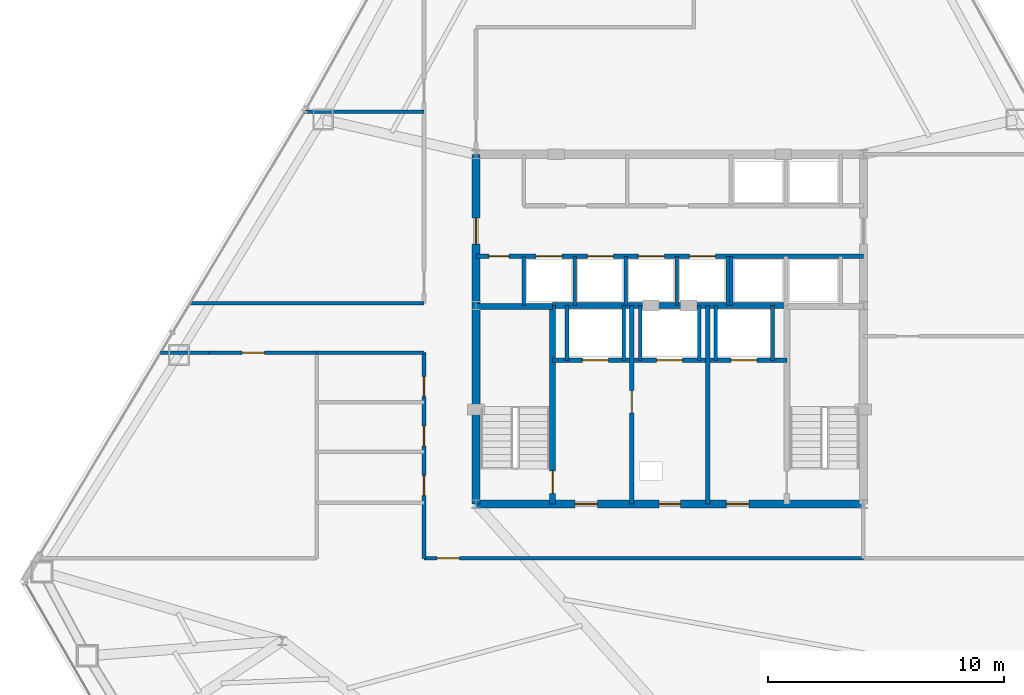
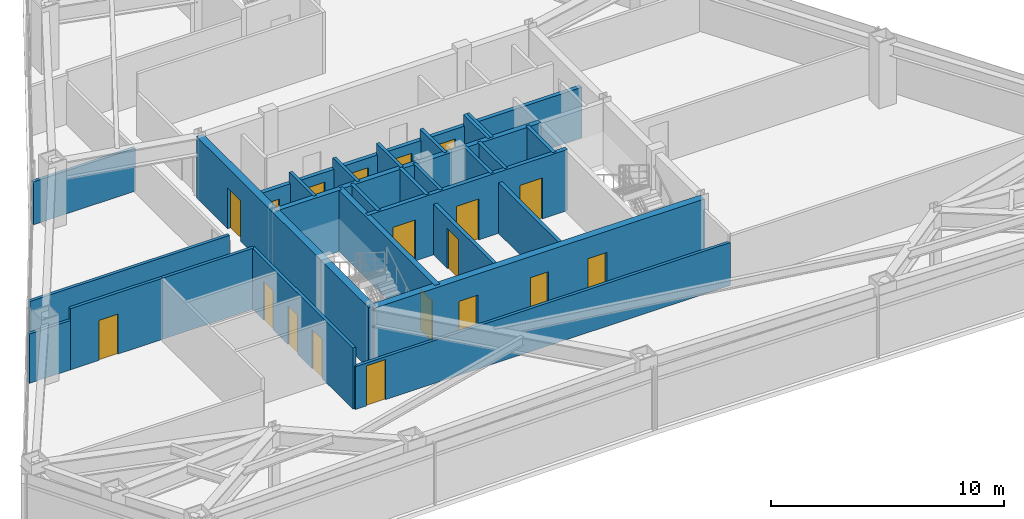
# One storey, part 10 of 13: 28 walls, 19 doors, 19 openings.
"""IFC4 building model written with IfcOpenShell, lengths in metres."""

from ifc_helpers import new_model, si_unit, direction, frame, frame_2d, origin, place, context, subcontext, project, spatial, rectangle, extrude, material, layer, layer_set, type_object, element, fill, save


model = new_model("IFC4")

# Units and contexts
model_context = context("Model", 3, precision=1e-05, world=origin(), true_north=direction((0.0, 1.0)))
body_context = subcontext(model_context, "Body", "Model", "MODEL_VIEW")
ifc_project = project(units=[si_unit("LENGTHUNIT", "METRE"), si_unit("AREAUNIT", "SQUARE_METRE"), si_unit("VOLUMEUNIT", "CUBIC_METRE"), si_unit("PLANEANGLEUNIT", "RADIAN"), si_unit("MASSUNIT", "GRAM", prefix="KILO")], contexts=[model_context])

# Site, building, storey
site_placement = place(None, origin())
site = spatial("IfcSite", under=ifc_project, at=site_placement, CompositionType="ELEMENT")
building_placement = place(site_placement, origin())
building = spatial("IfcBuilding", under=site, at=building_placement, Name="Varakhsha Concourse Tower", CompositionType="ELEMENT")
storey_placement = place(building_placement, frame((0.0, 0.0, 143.60009765625)))
storey = spatial("IfcBuildingStorey", under=building, at=storey_placement, Name="L41", CompositionType="ELEMENT", Elevation=143.60009765625)

# Wall, openings, doors
ifc_material_1 = material(Name="Concrete fc 65 MPa", Category="concrete")
ifc_layer_1 = layer(ifc_material_1, 0.35009765625, Name="WL-CORE-350")
ifc_layer_set_1 = layer_set([ifc_layer_1], Name="Concrete fc 65 MPa")
wall_type_1 = type_object("IfcWallType", Name="WL-CORE-350", PredefinedType="SHEAR", material=ifc_layer_set_1)
wall_1_placement = place(storey_placement, frame((31.800048828125, 16.39990234375, 0.0), z_axis=(0.0, 0.0, 1.0), x_axis=(1.0, 0.0, 0.0)))
wall_1 = element("IfcWall", 1, at=wall_1_placement, inside=storey, type_object=wall_type_1, Name="L41 Wall CWALL-S-L41", PredefinedType="SHEAR", context=body_context, shape_type="SweptSolid", body=[
    extrude(rectangle(XDim=16.39990234375, YDim=0.35009765625, at=frame_2d((8.199951171875, 0.0))), origin(), (0.0, 0.0, 1.0), 3.2099609375),
])
opening_1_placement = place(wall_1_placement, frame((7.75, 0.0, 0.0)))
opening_1 = element("IfcOpeningElement", 2, at=opening_1_placement, cuts=wall_1, Name="Opening DF-06", PredefinedType="OPENING", context=body_context, shape_type="SweptSolid", body=[
    extrude(rectangle(XDim=0.89990234375, YDim=2.10009765625, at=frame_2d((0.449951171875, 1.050048828125))), frame((0.0, 0.18505859375, 0.0), z_axis=(0.0, -1.0, 0.0), x_axis=(1.0, 0.0, 0.0)), (0.0, 0.0, 1.0), 0.3701171875),
])
opening_2_placement = place(wall_1_placement, frame((4.199951171875, 0.0, 0.0)))
opening_2 = element("IfcOpeningElement", 3, at=opening_2_placement, cuts=wall_1, Name="Opening DF-05", PredefinedType="OPENING", context=body_context, shape_type="SweptSolid", body=[
    extrude(rectangle(XDim=0.949951171875, YDim=2.10009765625, at=frame_2d((0.47509765625, 1.050048828125))), frame((0.0, 0.18505859375, 0.0), z_axis=(0.0, -1.0, 0.0), x_axis=(1.0, 0.0, 0.0)), (0.0, 0.0, 1.0), 0.3701171875),
])
opening_3_placement = place(wall_1_placement, frame((10.60009765625, 0.0, 0.0)))
opening_3 = element("IfcOpeningElement", 4, at=opening_3_placement, cuts=wall_1, Name="Opening DF-05", PredefinedType="OPENING", context=body_context, shape_type="SweptSolid", body=[
    extrude(rectangle(XDim=0.949951171875, YDim=2.10009765625, at=frame_2d((0.47509765625, 1.050048828125))), frame((0.0, 0.18505859375, 0.0), z_axis=(0.0, -1.0, 0.0), x_axis=(1.0, 0.0, 0.0)), (0.0, 0.0, 1.0), 0.3701171875),
])
ifc_material_2 = material(Name="Hollow Galvanised Steel Fire Door Assembly", Category="steel")
door_type_1 = type_object("IfcDoorType", Name="DR-FD60-900", OperationType="NOTDEFINED", PredefinedType="DOOR", material=ifc_material_2)
door_1_placement = place(opening_1_placement, origin())
door_1 = element("IfcDoor", 5, at=door_1_placement, inside=storey, type_object=door_type_1, Name="L41 Service Riser Vestibule Door", OperationType="SINGLE_SWING_LEFT", OverallHeight=2.10009765625, OverallWidth=0.89990234375, PredefinedType="DOOR", context=body_context, shape_type="SweptSolid", body=[
    extrude(rectangle(XDim=0.89990234375, YDim=2.10009765625, at=frame_2d((0.449951171875, 1.050048828125))), frame((0.0, 0.02490234375, 0.0), z_axis=(0.0, -1.0, 0.0), x_axis=(1.0, 0.0, 0.0)), (0.0, 0.0, 1.0), 0.050048828125),
])
fill(opening_1, door_1)
door_type_2 = type_object("IfcDoorType", Name="DR-FD60-950", OperationType="NOTDEFINED", PredefinedType="DOOR", material=ifc_material_2)
door_2_placement = place(opening_2_placement, origin())
door_2 = element("IfcDoor", 6, at=door_2_placement, inside=storey, type_object=door_type_2, Name="L41 Firefighting Lobby West Door", OperationType="SINGLE_SWING_RIGHT", OverallHeight=2.10009765625, OverallWidth=0.949951171875, PredefinedType="DOOR", context=body_context, shape_type="SweptSolid", body=[
    extrude(rectangle(XDim=0.949951171875, YDim=2.10009765625, at=frame_2d((0.47509765625, 1.050048828125))), frame((0.0, 0.02490234375, 0.0), z_axis=(0.0, -1.0, 0.0), x_axis=(1.0, 0.0, 0.0)), (0.0, 0.0, 1.0), 0.050048828125),
])
fill(opening_2, door_2)
door_3_placement = place(opening_3_placement, origin())
door_3 = element("IfcDoor", 7, at=door_3_placement, inside=storey, type_object=door_type_2, Name="L41 Firefighting Lobby East Door", OperationType="SINGLE_SWING_LEFT", OverallHeight=2.10009765625, OverallWidth=0.949951171875, PredefinedType="DOOR", context=body_context, shape_type="SweptSolid", body=[
    extrude(rectangle(XDim=0.949951171875, YDim=2.10009765625, at=frame_2d((0.47509765625, 1.050048828125))), frame((0.0, 0.02490234375, 0.0), z_axis=(0.0, -1.0, 0.0), x_axis=(1.0, 0.0, 0.0)), (0.0, 0.0, 1.0), 0.050048828125),
])
fill(opening_3, door_3)

# Wall, opening, door
wall_2_placement = place(storey_placement, frame((31.800048828125, 16.39990234375, 0.0), z_axis=(0.0, 0.0, 1.0), x_axis=(0.0, 1.0, 0.0)))
wall_2 = element("IfcWall", 8, at=wall_2_placement, inside=storey, type_object=wall_type_1, Name="L41 Wall CWALL-W-L41", PredefinedType="SHEAR", context=body_context, shape_type="SweptSolid", body=[
    extrude(rectangle(XDim=14.800048828125, YDim=0.35009765625, at=frame_2d((7.39990234375, 0.0))), origin(), (0.0, 0.0, 1.0), 3.2099609375),
])
opening_4_placement = place(wall_2_placement, frame((11.0, 0.0, 0.0)))
opening_4 = element("IfcOpeningElement", 9, at=opening_4_placement, cuts=wall_2, Name="Opening DL-01", PredefinedType="OPENING", context=body_context, shape_type="SweptSolid", body=[
    extrude(rectangle(XDim=1.10009765625, YDim=2.14990234375, at=frame_2d((0.550048828125, 1.074951171875))), frame((0.0, 0.18505859375, 0.0), z_axis=(0.0, -1.0, 0.0), x_axis=(1.0, 0.0, 0.0)), (0.0, 0.0, 1.0), 0.3701171875),
])
ifc_material_3 = material(Name="Anodised Bronze Architectural Aluminium AA 6063-T6", Category="aluminium")
door_type_3 = type_object("IfcDoorType", Name="DR-LOB-1100", OperationType="NOTDEFINED", PredefinedType="DOOR", material=ifc_material_3)
door_4_placement = place(opening_4_placement, origin())
door_4 = element("IfcDoor", 10, at=door_4_placement, inside=storey, type_object=door_type_3, Name="L41 Lift Lobby West Concourse Door", OperationType="SINGLE_SWING_LEFT", OverallHeight=2.14990234375, OverallWidth=1.10009765625, PredefinedType="DOOR", context=body_context, shape_type="SweptSolid", body=[
    extrude(rectangle(XDim=1.10009765625, YDim=2.14990234375, at=frame_2d((0.550048828125, 1.074951171875))), frame((0.0, 0.02490234375, 0.0), z_axis=(0.0, -1.0, 0.0), x_axis=(1.0, 0.0, 0.0)), (0.0, 0.0, 1.0), 0.050048828125),
])
fill(opening_4, door_4)

ifc_material_4 = material(Name="Fire-Rated Type X Gypsum Partition Assembly", Category="gypsum")
ifc_layer_2 = layer(ifc_material_4, 0.179931640625, Name="WL-FFLOB-180")
ifc_layer_set_2 = layer_set([ifc_layer_2], Name="Fire-Rated Type X Gypsum Partition Assembly")
wall_type_2 = type_object("IfcWallType", Name="WL-FFLOB-180", PredefinedType="PARTITIONING", material=ifc_layer_set_2)
wall_3_placement = place(storey_placement, frame((38.389892578125, 16.39990234375, 0.0), z_axis=(0.0, 0.0, 1.0), x_axis=(0.0, 1.0, 0.0)))
wall_3 = element("IfcWall", 11, at=wall_3_placement, inside=storey, type_object=wall_type_2, Name="L41 Wall FFW-1E-L41", PredefinedType="PARTITIONING", context=body_context, shape_type="SweptSolid", body=[
    extrude(rectangle(XDim=8.400146484375, YDim=0.179931640625, at=frame_2d((4.2001953125, 0.0))), origin(), (0.0, 0.0, 1.0), 2.660888671875),
])
opening_5_placement = place(wall_3_placement, frame((3.85009765625, 0.0, 0.0)))
opening_5 = element("IfcOpeningElement", 12, at=opening_5_placement, cuts=wall_3, Name="Opening DF-05", PredefinedType="OPENING", context=body_context, shape_type="SweptSolid", body=[
    extrude(rectangle(XDim=0.949951171875, YDim=2.10009765625, at=frame_2d((0.47509765625, 1.050048828125))), frame((0.0, 0.099853515625, 0.0), z_axis=(0.0, -1.0, 0.0), x_axis=(1.0, 0.0, 0.0)), (0.0, 0.0, 1.0), 0.199951171875),
])
door_5_placement = place(opening_5_placement, origin())
door_5 = element("IfcDoor", 13, at=door_5_placement, inside=storey, type_object=door_type_2, Name="L41 Service Vestibule Door", OperationType="SINGLE_SWING_RIGHT", OverallHeight=2.10009765625, OverallWidth=0.949951171875, PredefinedType="DOOR", context=body_context, shape_type="SweptSolid", body=[
    extrude(rectangle(XDim=0.949951171875, YDim=2.10009765625, at=frame_2d((0.47509765625, 1.050048828125))), frame((0.0, 0.02490234375, 0.0), z_axis=(0.0, -1.0, 0.0), x_axis=(1.0, 0.0, 0.0)), (0.0, 0.0, 1.0), 0.050048828125),
])
fill(opening_5, door_5)

# Wall
wall_4_placement = place(storey_placement, frame((41.610107421875, 16.39990234375, 0.0), z_axis=(0.0, 0.0, 1.0), x_axis=(0.0, 1.0, 0.0)))
element("IfcWall", 14, at=wall_4_placement, inside=storey, type_object=wall_type_2, Name="L41 Wall FFW-2W-L41", PredefinedType="PARTITIONING", context=body_context, shape_type="SweptSolid", body=[
    extrude(rectangle(XDim=8.400146484375, YDim=0.179931640625, at=frame_2d((4.2001953125, 0.0))), origin(), (0.0, 0.0, 1.0), 2.660888671875),
])

# Wall, opening, door
ifc_layer_3 = layer(ifc_material_4, 0.14990234375, Name="WL-PART-150")
ifc_layer_set_3 = layer_set([ifc_layer_3], Name="Fire-Rated Type X Gypsum Partition Assembly")
wall_type_3 = type_object("IfcWallType", Name="WL-PART-150", PredefinedType="PARTITIONING", material=ifc_layer_set_3)
wall_5_placement = place(storey_placement, frame((29.60009765625, 14.10009765625, 0.0), z_axis=(0.0, 0.0, 1.0), x_axis=(1.0, 0.0, 0.0)))
wall_5 = element("IfcWall", 15, at=wall_5_placement, inside=storey, type_object=wall_type_3, Name="L41 Wall CRW-S-L41", PredefinedType="PARTITIONING", context=body_context, shape_type="SweptSolid", body=[
    extrude(rectangle(XDim=18.599853515625, YDim=0.14990234375, at=frame_2d((9.2998046875, 0.0))), origin(), (0.0, 0.0, 1.0), 2.251953125),
])
opening_6_placement = place(wall_5_placement, frame((0.550048828125, 0.0, 0.0)))
opening_6 = element("IfcOpeningElement", 16, at=opening_6_placement, cuts=wall_5, Name="Opening DF-05", PredefinedType="OPENING", context=body_context, shape_type="SweptSolid", body=[
    extrude(rectangle(XDim=0.949951171875, YDim=2.10009765625, at=frame_2d((0.47509765625, 1.050048828125))), frame((0.0, 0.0849609375, 0.0), z_axis=(0.0, -1.0, 0.0), x_axis=(1.0, 0.0, 0.0)), (0.0, 0.0, 1.0), 0.169921875),
])
door_6_placement = place(opening_6_placement, origin())
door_6 = element("IfcDoor", 17, at=door_6_placement, inside=storey, type_object=door_type_2, Name="L41 Portfolio Risk Office L41-S1 Door", OperationType="SINGLE_SWING_LEFT", OverallHeight=2.10009765625, OverallWidth=0.949951171875, PredefinedType="DOOR", context=body_context, shape_type="SweptSolid", body=[
    extrude(rectangle(XDim=0.949951171875, YDim=2.10009765625, at=frame_2d((0.47509765625, 1.050048828125))), frame((0.0, 0.02490234375, 0.0), z_axis=(0.0, -1.0, 0.0), x_axis=(1.0, 0.0, 0.0)), (0.0, 0.0, 1.0), 0.050048828125),
])
fill(opening_6, door_6)

# Wall, openings, doors
wall_6_placement = place(storey_placement, frame((29.60009765625, 14.10009765625, 0.0), z_axis=(0.0, 0.0, 1.0), x_axis=(0.0, 1.0, 0.0)))
wall_6 = element("IfcWall", 18, at=wall_6_placement, inside=storey, type_object=wall_type_3, Name="L41 Wall CRW-WS-L41", PredefinedType="PARTITIONING", context=body_context, shape_type="SweptSolid", body=[
    extrude(rectangle(XDim=8.699951171875, YDim=0.14990234375, at=frame_2d((4.35009765625, 0.0))), origin(), (0.0, 0.0, 1.0), 3.2099609375),
])
opening_7_placement = place(wall_6_placement, frame((2.64990234375, 0.0, 0.0)))
opening_7 = element("IfcOpeningElement", 19, at=opening_7_placement, cuts=wall_6, Name="Opening DF-07", PredefinedType="OPENING", context=body_context, shape_type="SweptSolid", body=[
    extrude(rectangle(XDim=0.85009765625, YDim=2.050048828125, at=frame_2d((0.425048828125, 1.02490234375))), frame((0.0, 0.0849609375, 0.0), z_axis=(0.0, -1.0, 0.0), x_axis=(1.0, 0.0, 0.0)), (0.0, 0.0, 1.0), 0.169921875),
])
opening_8_placement = place(wall_6_placement, frame((4.75, 0.0, 0.0)))
opening_8 = element("IfcOpeningElement", 20, at=opening_8_placement, cuts=wall_6, Name="Opening DF-07", PredefinedType="OPENING", context=body_context, shape_type="SweptSolid", body=[
    extrude(rectangle(XDim=0.85009765625, YDim=2.050048828125, at=frame_2d((0.425048828125, 1.02490234375))), frame((0.0, 0.0849609375, 0.0), z_axis=(0.0, -1.0, 0.0), x_axis=(1.0, 0.0, 0.0)), (0.0, 0.0, 1.0), 0.169921875),
])
opening_9_placement = place(wall_6_placement, frame((6.85009765625, 0.0, 0.0)))
opening_9 = element("IfcOpeningElement", 21, at=opening_9_placement, cuts=wall_6, Name="Opening DF-07", PredefinedType="OPENING", context=body_context, shape_type="SweptSolid", body=[
    extrude(rectangle(XDim=0.85009765625, YDim=2.050048828125, at=frame_2d((0.425048828125, 1.02490234375))), frame((0.0, 0.0849609375, 0.0), z_axis=(0.0, -1.0, 0.0), x_axis=(1.0, 0.0, 0.0)), (0.0, 0.0, 1.0), 0.169921875),
])
door_type_4 = type_object("IfcDoorType", Name="DR-FD60-850", OperationType="NOTDEFINED", PredefinedType="DOOR", material=ifc_material_2)
door_7_placement = place(opening_7_placement, origin())
door_7 = element("IfcDoor", 22, at=door_7_placement, inside=storey, type_object=door_type_4, Name="L41 Men Restroom WC Door", OperationType="SINGLE_SWING_LEFT", OverallHeight=2.050048828125, OverallWidth=0.85009765625, PredefinedType="DOOR", context=body_context, shape_type="SweptSolid", body=[
    extrude(rectangle(XDim=0.85009765625, YDim=2.050048828125, at=frame_2d((0.425048828125, 1.02490234375))), frame((0.0, 0.02490234375, 0.0), z_axis=(0.0, -1.0, 0.0), x_axis=(1.0, 0.0, 0.0)), (0.0, 0.0, 1.0), 0.050048828125),
])
fill(opening_7, door_7)
door_8_placement = place(opening_8_placement, origin())
door_8 = element("IfcDoor", 23, at=door_8_placement, inside=storey, type_object=door_type_4, Name="L41 Women Restroom WC Door", OperationType="SINGLE_SWING_LEFT", OverallHeight=2.050048828125, OverallWidth=0.85009765625, PredefinedType="DOOR", context=body_context, shape_type="SweptSolid", body=[
    extrude(rectangle(XDim=0.85009765625, YDim=2.050048828125, at=frame_2d((0.425048828125, 1.02490234375))), frame((0.0, 0.02490234375, 0.0), z_axis=(0.0, -1.0, 0.0), x_axis=(1.0, 0.0, 0.0)), (0.0, 0.0, 1.0), 0.050048828125),
])
fill(opening_8, door_8)
door_9_placement = place(opening_9_placement, origin())
door_9 = element("IfcDoor", 24, at=door_9_placement, inside=storey, type_object=door_type_4, Name="L41 Accessible WC Door", OperationType="SINGLE_SWING_LEFT", OverallHeight=2.050048828125, OverallWidth=0.85009765625, PredefinedType="DOOR", context=body_context, shape_type="SweptSolid", body=[
    extrude(rectangle(XDim=0.85009765625, YDim=2.050048828125, at=frame_2d((0.425048828125, 1.02490234375))), frame((0.0, 0.02490234375, 0.0), z_axis=(0.0, -1.0, 0.0), x_axis=(1.0, 0.0, 0.0)), (0.0, 0.0, 1.0), 0.050048828125),
])
fill(opening_9, door_9)

# Walls
wall_7_placement = place(storey_placement, frame((18.448486328125, 22.800048828125, 0.0), z_axis=(0.0, 0.0, 1.0), x_axis=(1.0, 0.0, 0.0)))
element("IfcWall", 25, at=wall_7_placement, inside=storey, type_object=wall_type_3, Name="L41 Wall CRW-WWS-W-L41", PredefinedType="PARTITIONING", context=body_context, shape_type="SweptSolid", body=[
    extrude(rectangle(XDim=2.051513671875, YDim=0.14990234375, at=frame_2d((1.02587890625, 0.0))), origin(), (0.0, 0.0, 1.0), 2.5888671875),
])
wall_8_placement = place(storey_placement, frame((25.050048828125, 22.800048828125, 0.0), z_axis=(0.0, 0.0, 1.0), x_axis=(1.0, 0.0, 0.0)))
element("IfcWall", 26, at=wall_8_placement, inside=storey, type_object=wall_type_3, Name="L41 Wall CRW-WWS-E-L41", PredefinedType="PARTITIONING", context=body_context, shape_type="SweptSolid", body=[
    extrude(rectangle(XDim=4.550048828125, YDim=0.14990234375, at=frame_2d((2.27490234375, 0.0))), origin(), (0.0, 0.0, 1.0), 3.2099609375),
])
wall_9_placement = place(storey_placement, frame((19.703369140625, 24.89990234375, 0.0), z_axis=(0.0, 0.0, 1.0), x_axis=(1.0, 0.0, 0.0)))
element("IfcWall", 27, at=wall_9_placement, inside=storey, type_object=wall_type_3, Name="L41 Wall CRW-WWN-L41", PredefinedType="PARTITIONING", context=body_context, shape_type="SweptSolid", body=[
    extrude(rectangle(XDim=9.896728515625, YDim=0.14990234375, at=frame_2d((4.9482421875, 0.0))), origin(), (0.0, 0.0, 1.0), 2.5888671875),
])

# Wall, opening, door
wall_10_placement = place(storey_placement, frame((20.5, 22.800048828125, 0.0), z_axis=(0.0, 0.0, 1.0), x_axis=(1.0, 0.0, 0.0)))
wall_10 = element("IfcWall", 28, at=wall_10_placement, inside=storey, type_object=wall_type_3, Name="L41 Wall CRW-WWS-DOOR-L41", PredefinedType="PARTITIONING", context=body_context, shape_type="SweptSolid", body=[
    extrude(rectangle(XDim=4.550048828125, YDim=0.14990234375, at=frame_2d((2.27490234375, 0.0))), origin(), (0.0, 0.0, 1.0), 3.2099609375),
])
opening_10_placement = place(wall_10_placement, frame((1.39990234375, 0.0, 0.0)))
opening_10 = element("IfcOpeningElement", 29, at=opening_10_placement, cuts=wall_10, Name="Opening DF-05", PredefinedType="OPENING", context=body_context, shape_type="SweptSolid", body=[
    extrude(rectangle(XDim=0.949951171875, YDim=2.10009765625, at=frame_2d((0.47509765625, 1.050048828125))), frame((0.0, 0.0849609375, 0.0), z_axis=(0.0, -1.0, 0.0), x_axis=(1.0, 0.0, 0.0)), (0.0, 0.0, 1.0), 0.169921875),
])
door_10_placement = place(opening_10_placement, origin())
door_10 = element("IfcDoor", 30, at=door_10_placement, inside=storey, type_object=door_type_2, Name="L41 Institutional Client Office L41-SW Door", OperationType="SINGLE_SWING_LEFT", OverallHeight=2.10009765625, OverallWidth=0.949951171875, PredefinedType="DOOR", context=body_context, shape_type="SweptSolid", body=[
    extrude(rectangle(XDim=0.949951171875, YDim=2.10009765625, at=frame_2d((0.47509765625, 1.050048828125))), frame((0.0, 0.02490234375, 0.0), z_axis=(0.0, -1.0, 0.0), x_axis=(1.0, 0.0, 0.0)), (0.0, 0.0, 1.0), 0.050048828125),
])
fill(opening_10, door_10)

# Wall
wall_11_placement = place(storey_placement, frame((24.544189453125, 33.0, 0.0), z_axis=(0.0, 0.0, 1.0), x_axis=(1.0, 0.0, 0.0)))
element("IfcWall", 31, at=wall_11_placement, inside=storey, type_object=wall_type_3, Name="L41 Wall ODIV-W1-L41", PredefinedType="PARTITIONING", context=body_context, shape_type="SweptSolid", body=[
    extrude(rectangle(XDim=5.055908203125, YDim=0.14990234375, at=frame_2d((2.52783203125, 0.0))), origin(), (0.0, 0.0, 1.0), 2.251953125),
])

# Wall, openings, doors
ifc_layer_4 = layer(ifc_material_4, 0.199951171875, Name="WL-SHAFT-220")
ifc_layer_set_4 = layer_set([ifc_layer_4], Name="Fire-Rated Type X Gypsum Partition Assembly")
wall_type_4 = type_object("IfcWallType", Name="WL-SHAFT-220", PredefinedType="SOLIDWALL", material=ifc_layer_set_4)
wall_12_placement = place(storey_placement, frame((35.044921875, 22.47998046875, 0.0), z_axis=(0.0, 0.0, 1.0), x_axis=(1.0, 0.0, 0.0)))
wall_12 = element("IfcWall", 32, at=wall_12_placement, inside=storey, type_object=wall_type_4, Name="L41 Wall FFW-NH-L41", PredefinedType="SOLIDWALL", context=body_context, shape_type="SweptSolid", body=[
    extrude(rectangle(XDim=9.91015625, YDim=0.199951171875, at=frame_2d((4.955078125, 0.0))), origin(), (0.0, 0.0, 1.0), 3.2099609375),
])
opening_11_placement = place(wall_12_placement, frame((1.2548828125, 0.0, 0.0)))
opening_11 = element("IfcOpeningElement", 33, at=opening_11_placement, cuts=wall_12, Name="Opening LD-FFL-1", PredefinedType="OPENING", context=body_context, shape_type="SweptSolid", body=[
    extrude(rectangle(XDim=1.10009765625, YDim=2.14990234375, at=frame_2d((0.550048828125, 1.074951171875))), frame((0.0, 0.10986328125, 0.0), z_axis=(0.0, -1.0, 0.0), x_axis=(1.0, 0.0, 0.0)), (0.0, 0.0, 1.0), 0.219970703125),
])
opening_12_placement = place(wall_12_placement, frame((7.554931640625, 0.0, 0.0)))
opening_12 = element("IfcOpeningElement", 34, at=opening_12_placement, cuts=wall_12, Name="Opening LD-FFL-2", PredefinedType="OPENING", context=body_context, shape_type="SweptSolid", body=[
    extrude(rectangle(XDim=1.10009765625, YDim=2.14990234375, at=frame_2d((0.550048828125, 1.074951171875))), frame((0.0, 0.10986328125, 0.0), z_axis=(0.0, -1.0, 0.0), x_axis=(1.0, 0.0, 0.0)), (0.0, 0.0, 1.0), 0.219970703125),
])
opening_13_placement = place(wall_12_placement, frame((4.405029296875, 0.0, 0.0)))
opening_13 = element("IfcOpeningElement", 35, at=opening_13_placement, cuts=wall_12, Name="Opening LD-SVL-1", PredefinedType="OPENING", context=body_context, shape_type="SweptSolid", body=[
    extrude(rectangle(XDim=1.10009765625, YDim=2.14990234375, at=frame_2d((0.550048828125, 1.074951171875))), frame((0.0, 0.10986328125, 0.0), z_axis=(0.0, -1.0, 0.0), x_axis=(1.0, 0.0, 0.0)), (0.0, 0.0, 1.0), 0.219970703125),
])
ifc_material_5 = material(Name="Brushed Austenitic Stainless Steel AISI 316", Category="steel")
door_type_5 = type_object("IfcDoorType", Name="DR-LD-1100", OperationType="DOUBLE_DOOR_SLIDING", PredefinedType="DOOR", material=ifc_material_5)
door_11_placement = place(opening_11_placement, origin())
door_11 = element("IfcDoor", 36, at=door_11_placement, inside=storey, type_object=door_type_5, Name="Lift Landing Door FFL-1 L41", OperationType="DOUBLE_DOOR_SLIDING", OverallHeight=2.14990234375, OverallWidth=1.10009765625, PredefinedType="DOOR", context=body_context, shape_type="SweptSolid", body=[
    extrude(rectangle(XDim=1.10009765625, YDim=2.14990234375, at=frame_2d((0.550048828125, 1.074951171875))), frame((0.0, 0.02490234375, 0.0), z_axis=(0.0, -1.0, 0.0), x_axis=(1.0, 0.0, 0.0)), (0.0, 0.0, 1.0), 0.050048828125),
])
fill(opening_11, door_11)
door_12_placement = place(opening_12_placement, origin())
door_12 = element("IfcDoor", 37, at=door_12_placement, inside=storey, type_object=door_type_5, Name="Lift Landing Door FFL-2 L41", OperationType="DOUBLE_DOOR_SLIDING", OverallHeight=2.14990234375, OverallWidth=1.10009765625, PredefinedType="DOOR", context=body_context, shape_type="SweptSolid", body=[
    extrude(rectangle(XDim=1.10009765625, YDim=2.14990234375, at=frame_2d((0.550048828125, 1.074951171875))), frame((0.0, 0.02490234375, 0.0), z_axis=(0.0, -1.0, 0.0), x_axis=(1.0, 0.0, 0.0)), (0.0, 0.0, 1.0), 0.050048828125),
])
fill(opening_12, door_12)
door_13_placement = place(opening_13_placement, origin())
door_13 = element("IfcDoor", 38, at=door_13_placement, inside=storey, type_object=door_type_5, Name="Lift Landing Door SVL-1 L41", OperationType="DOUBLE_DOOR_SLIDING", OverallHeight=2.14990234375, OverallWidth=1.10009765625, PredefinedType="DOOR", context=body_context, shape_type="SweptSolid", body=[
    extrude(rectangle(XDim=1.10009765625, YDim=2.14990234375, at=frame_2d((0.550048828125, 1.074951171875))), frame((0.0, 0.02490234375, 0.0), z_axis=(0.0, -1.0, 0.0), x_axis=(1.0, 0.0, 0.0)), (0.0, 0.0, 1.0), 0.050048828125),
])
fill(opening_13, door_13)

# Walls
for number, where, z_axis, x_axis, name in (
    (39, (35.64990234375, 22.47998046875, 0.0), (0.0, 0.0, 1.0), (0.0, 1.0, 0.0), "L41 Wall SHW-FFL-1-W-L41"),
    (40, (38.050048828125, 22.47998046875, 0.0), (0.0, 0.0, 1.0), (0.0, 1.0, 0.0), "L41 Wall SHW-FFL-1-E-L41"),
    (41, (41.949951171875, 22.47998046875, 0.0), (0.0, 0.0, 1.0), (0.0, 1.0, 0.0), "L41 Wall SHW-FFL-2-W-L41"),
    (42, (44.35009765625, 22.47998046875, 0.0), (0.0, 0.0, 1.0), (0.0, 1.0, 0.0), "L41 Wall SHW-FFL-2-E-L41"),
    (43, (38.75, 22.47998046875, 0.0), (0.0, 0.0, 1.0), (0.0, 1.0, 0.0), "L41 Wall SHW-SVL-1-W-L41"),
    (44, (41.25, 22.47998046875, 0.0), (0.0, 0.0, 1.0), (0.0, 1.0, 0.0), "L41 Wall SHW-SVL-1-E-L41"),
):
    element("IfcWall", number, at=place(storey_placement, frame(where, z_axis=z_axis, x_axis=x_axis)), inside=storey, type_object=wall_type_4, Name=name, PredefinedType="SOLIDWALL", context=body_context, shape_type="SweptSolid", body=[
        extrude(rectangle(XDim=2.320068359375, YDim=0.159912109375, at=frame_2d((1.16015625, 0.0))), origin(), (0.0, 0.0, 1.0), 3.2099609375),
    ])

# Wall, openings, doors
wall_13_placement = place(storey_placement, frame((31.800048828125, 26.8798828125, 0.0), z_axis=(0.0, 0.0, 1.0), x_axis=(1.0, 0.0, 0.0)))
wall_13 = element("IfcWall", 45, at=wall_13_placement, inside=storey, type_object=wall_type_4, Name="L41 Wall PLW-S-L41", PredefinedType="SOLIDWALL", context=body_context, shape_type="SweptSolid", body=[
    extrude(rectangle(XDim=16.39990234375, YDim=0.199951171875, at=frame_2d((8.199951171875, 0.0))), origin(), (0.0, 0.0, 1.0), 2.660888671875),
])
opening_14_placement = place(wall_13_placement, frame((0.550048828125, 0.0, 0.0)))
opening_14 = element("IfcOpeningElement", 46, at=opening_14_placement, cuts=wall_13, Name="Opening DF-07", PredefinedType="OPENING", context=body_context, shape_type="SweptSolid", body=[
    extrude(rectangle(XDim=0.85009765625, YDim=2.050048828125, at=frame_2d((0.425048828125, 1.02490234375))), frame((0.0, 0.10986328125, 0.0), z_axis=(0.0, -1.0, 0.0), x_axis=(1.0, 0.0, 0.0)), (0.0, 0.0, 1.0), 0.219970703125),
])
opening_15_placement = place(wall_13_placement, frame((2.550048828125, 0.0, 0.0)))
opening_15 = element("IfcOpeningElement", 47, at=opening_15_placement, cuts=wall_13, Name="Opening LD-LF-P05", PredefinedType="OPENING", context=body_context, shape_type="SweptSolid", body=[
    extrude(rectangle(XDim=1.10009765625, YDim=2.14990234375, at=frame_2d((0.550048828125, 1.074951171875))), frame((0.0, 0.10986328125, 0.0), z_axis=(0.0, -1.0, 0.0), x_axis=(1.0, 0.0, 0.0)), (0.0, 0.0, 1.0), 0.219970703125),
])
opening_16_placement = place(wall_13_placement, frame((4.7099609375, 0.0, 0.0)))
opening_16 = element("IfcOpeningElement", 48, at=opening_16_placement, cuts=wall_13, Name="Opening LD-LF-P06", PredefinedType="OPENING", context=body_context, shape_type="SweptSolid", body=[
    extrude(rectangle(XDim=1.10009765625, YDim=2.14990234375, at=frame_2d((0.550048828125, 1.074951171875))), frame((0.0, 0.10986328125, 0.0), z_axis=(0.0, -1.0, 0.0), x_axis=(1.0, 0.0, 0.0)), (0.0, 0.0, 1.0), 0.219970703125),
])
opening_17_placement = place(wall_13_placement, frame((6.8701171875, 0.0, 0.0)))
opening_17 = element("IfcOpeningElement", 49, at=opening_17_placement, cuts=wall_13, Name="Opening LD-LF-P07", PredefinedType="OPENING", context=body_context, shape_type="SweptSolid", body=[
    extrude(rectangle(XDim=1.10009765625, YDim=2.14990234375, at=frame_2d((0.550048828125, 1.074951171875))), frame((0.0, 0.10986328125, 0.0), z_axis=(0.0, -1.0, 0.0), x_axis=(1.0, 0.0, 0.0)), (0.0, 0.0, 1.0), 0.219970703125),
])
opening_18_placement = place(wall_13_placement, frame((9.030029296875, 0.0, 0.0)))
opening_18 = element("IfcOpeningElement", 50, at=opening_18_placement, cuts=wall_13, Name="Opening LD-LF-P08", PredefinedType="OPENING", context=body_context, shape_type="SweptSolid", body=[
    extrude(rectangle(XDim=1.10009765625, YDim=2.14990234375, at=frame_2d((0.550048828125, 1.074951171875))), frame((0.0, 0.10986328125, 0.0), z_axis=(0.0, -1.0, 0.0), x_axis=(1.0, 0.0, 0.0)), (0.0, 0.0, 1.0), 0.219970703125),
])
door_14_placement = place(opening_14_placement, origin())
door_14 = element("IfcDoor", 51, at=door_14_placement, inside=storey, type_object=door_type_4, Name="L41 Core Telecoms Closet Door", OperationType="SINGLE_SWING_RIGHT", OverallHeight=2.050048828125, OverallWidth=0.85009765625, PredefinedType="DOOR", context=body_context, shape_type="SweptSolid", body=[
    extrude(rectangle(XDim=0.85009765625, YDim=2.050048828125, at=frame_2d((0.425048828125, 1.02490234375))), frame((0.0, 0.02490234375, 0.0), z_axis=(0.0, -1.0, 0.0), x_axis=(1.0, 0.0, 0.0)), (0.0, 0.0, 1.0), 0.050048828125),
])
fill(opening_14, door_14)
door_15_placement = place(opening_15_placement, origin())
door_15 = element("IfcDoor", 52, at=door_15_placement, inside=storey, type_object=door_type_5, Name="Lift Landing Door LF-P05 L41", OperationType="DOUBLE_DOOR_SLIDING", OverallHeight=2.14990234375, OverallWidth=1.10009765625, PredefinedType="DOOR", context=body_context, shape_type="SweptSolid", body=[
    extrude(rectangle(XDim=1.10009765625, YDim=2.14990234375, at=frame_2d((0.550048828125, 1.074951171875))), frame((0.0, 0.02490234375, 0.0), z_axis=(0.0, -1.0, 0.0), x_axis=(1.0, 0.0, 0.0)), (0.0, 0.0, 1.0), 0.050048828125),
])
fill(opening_15, door_15)
door_16_placement = place(opening_16_placement, origin())
door_16 = element("IfcDoor", 53, at=door_16_placement, inside=storey, type_object=door_type_5, Name="Lift Landing Door LF-P06 L41", OperationType="DOUBLE_DOOR_SLIDING", OverallHeight=2.14990234375, OverallWidth=1.10009765625, PredefinedType="DOOR", context=body_context, shape_type="SweptSolid", body=[
    extrude(rectangle(XDim=1.10009765625, YDim=2.14990234375, at=frame_2d((0.550048828125, 1.074951171875))), frame((0.0, 0.02490234375, 0.0), z_axis=(0.0, -1.0, 0.0), x_axis=(1.0, 0.0, 0.0)), (0.0, 0.0, 1.0), 0.050048828125),
])
fill(opening_16, door_16)
door_17_placement = place(opening_17_placement, origin())
door_17 = element("IfcDoor", 54, at=door_17_placement, inside=storey, type_object=door_type_5, Name="Lift Landing Door LF-P07 L41", OperationType="DOUBLE_DOOR_SLIDING", OverallHeight=2.14990234375, OverallWidth=1.10009765625, PredefinedType="DOOR", context=body_context, shape_type="SweptSolid", body=[
    extrude(rectangle(XDim=1.10009765625, YDim=2.14990234375, at=frame_2d((0.550048828125, 1.074951171875))), frame((0.0, 0.02490234375, 0.0), z_axis=(0.0, -1.0, 0.0), x_axis=(1.0, 0.0, 0.0)), (0.0, 0.0, 1.0), 0.050048828125),
])
fill(opening_17, door_17)
door_18_placement = place(opening_18_placement, origin())
door_18 = element("IfcDoor", 55, at=door_18_placement, inside=storey, type_object=door_type_5, Name="Lift Landing Door LF-P08 L41", OperationType="DOUBLE_DOOR_SLIDING", OverallHeight=2.14990234375, OverallWidth=1.10009765625, PredefinedType="DOOR", context=body_context, shape_type="SweptSolid", body=[
    extrude(rectangle(XDim=1.10009765625, YDim=2.14990234375, at=frame_2d((0.550048828125, 1.074951171875))), frame((0.0, 0.02490234375, 0.0), z_axis=(0.0, -1.0, 0.0), x_axis=(1.0, 0.0, 0.0)), (0.0, 0.0, 1.0), 0.050048828125),
])
fill(opening_18, door_18)

# Walls
for number, where, z_axis, x_axis, name in (
    (56, (33.820068359375, 24.800048828125, 0.0), (0.0, 0.0, 1.0), (0.0, 1.0, 0.0), "L41 Wall WBOH-E2-L41"),
    (57, (35.97998046875, 24.800048828125, 0.0), (0.0, 0.0, 1.0), (0.0, 1.0, 0.0), "L41 Wall SHW-LF-P05-E-L41"),
    (58, (38.139892578125, 24.800048828125, 0.0), (0.0, 0.0, 1.0), (0.0, 1.0, 0.0), "L41 Wall SHW-LF-P06-E-L41"),
    (59, (40.300048828125, 24.800048828125, 0.0), (0.0, 0.0, 1.0), (0.0, 1.0, 0.0), "L41 Wall SHW-LF-P07-E-L41"),
    (60, (42.4599609375, 24.800048828125, 0.0), (0.0, 0.0, 1.0), (0.0, 1.0, 0.0), "L41 Wall SHW-LF-P08-E-L41"),
    (61, (42.60009765625, 24.800048828125, 0.0), (0.0, 0.0, 1.0), (0.0, 1.0, 0.0), "L41 Wall SHW-LF-P11-W-L41"),
):
    element("IfcWall", number, at=place(storey_placement, frame(where, z_axis=z_axis, x_axis=x_axis)), inside=storey, type_object=wall_type_4, Name=name, PredefinedType="SOLIDWALL", context=body_context, shape_type="SweptSolid", body=[
        extrude(rectangle(XDim=2.079833984375, YDim=0.159912109375, at=frame_2d((1.0400390625, 0.0))), origin(), (0.0, 0.0, 1.0), 3.2099609375),
    ])

# Wall, opening, door
ifc_material_6 = material(Name="Concrete fc 45 MPa", Category="concrete")
ifc_layer_5 = layer(ifc_material_6, 0.25, Name="WL-STAIR-250")
ifc_layer_set_5 = layer_set([ifc_layer_5], Name="Concrete fc 45 MPa")
wall_type_5 = type_object("IfcWallType", Name="WL-STAIR-250", PredefinedType="SHEAR", material=ifc_layer_set_5)
wall_14_placement = place(storey_placement, frame((35.044921875, 16.39990234375, 0.0), z_axis=(0.0, 0.0, 1.0), x_axis=(0.0, 1.0, 0.0)))
wall_14 = element("IfcWall", 62, at=wall_14_placement, inside=storey, type_object=wall_type_5, Name="L41 Wall SWALL-ST1-E-L41", PredefinedType="SHEAR", context=body_context, shape_type="SweptSolid", body=[
    extrude(rectangle(XDim=8.400146484375, YDim=0.25, at=frame_2d((4.2001953125, 0.0))), origin(), (0.0, 0.0, 1.0), 3.2099609375),
])
opening_19_placement = place(wall_14_placement, frame((0.449951171875, 0.0, 0.0)))
opening_19 = element("IfcOpeningElement", 63, at=opening_19_placement, cuts=wall_14, Name="Opening DF-03", PredefinedType="OPENING", context=body_context, shape_type="SweptSolid", body=[
    extrude(rectangle(XDim=0.949951171875, YDim=2.10009765625, at=frame_2d((0.47509765625, 1.050048828125))), frame((0.0, 0.135009765625, 0.0), z_axis=(0.0, -1.0, 0.0), x_axis=(1.0, 0.0, 0.0)), (0.0, 0.0, 1.0), 0.27001953125),
])
door_type_6 = type_object("IfcDoorType", Name="DR-FD90-950", OperationType="NOTDEFINED", PredefinedType="DOOR", material=ifc_material_2)
door_19_placement = place(opening_19_placement, origin())
door_19 = element("IfcDoor", 64, at=door_19_placement, inside=storey, type_object=door_type_6, Name="L41 Stair ST1 Fire Door", OperationType="SINGLE_SWING_LEFT", OverallHeight=2.10009765625, OverallWidth=0.949951171875, PredefinedType="DOOR", context=body_context, shape_type="SweptSolid", body=[
    extrude(rectangle(XDim=0.949951171875, YDim=2.10009765625, at=frame_2d((0.47509765625, 1.050048828125))), frame((0.0, 0.02490234375, 0.0), z_axis=(0.0, -1.0, 0.0), x_axis=(1.0, 0.0, 0.0)), (0.0, 0.0, 1.0), 0.050048828125),
])
fill(opening_19, door_19)

# Walls
wall_15_placement = place(storey_placement, frame((31.800048828125, 24.7548828125, 0.0), z_axis=(0.0, 0.0, 1.0), x_axis=(1.0, 0.0, 0.0)))
element("IfcWall", 65, at=wall_15_placement, inside=storey, type_object=wall_type_5, Name="L41 Wall SWALL-ST1-N-L41", PredefinedType="SHEAR", context=body_context, shape_type="SweptSolid", body=[
    extrude(rectangle(XDim=3.244873046875, YDim=0.25, at=frame_2d((1.62255859375, 0.0))), origin(), (0.0, 0.0, 1.0), 3.2099609375),
])
wall_16_placement = place(storey_placement, frame((35.044921875, 24.800048828125, 0.0), z_axis=(0.0, 0.0, 1.0), x_axis=(1.0, 0.0, 0.0)))
element("IfcWall", 66, at=wall_16_placement, inside=storey, type_object=wall_type_5, Name="L41 Wall SWALL-MID-H-L41", PredefinedType="SHEAR", context=body_context, shape_type="SweptSolid", body=[
    extrude(rectangle(XDim=9.91015625, YDim=0.25, at=frame_2d((4.955078125, 0.0))), origin(), (0.0, 0.0, 1.0), 3.2099609375),
])

save(model, "model.ifc")
